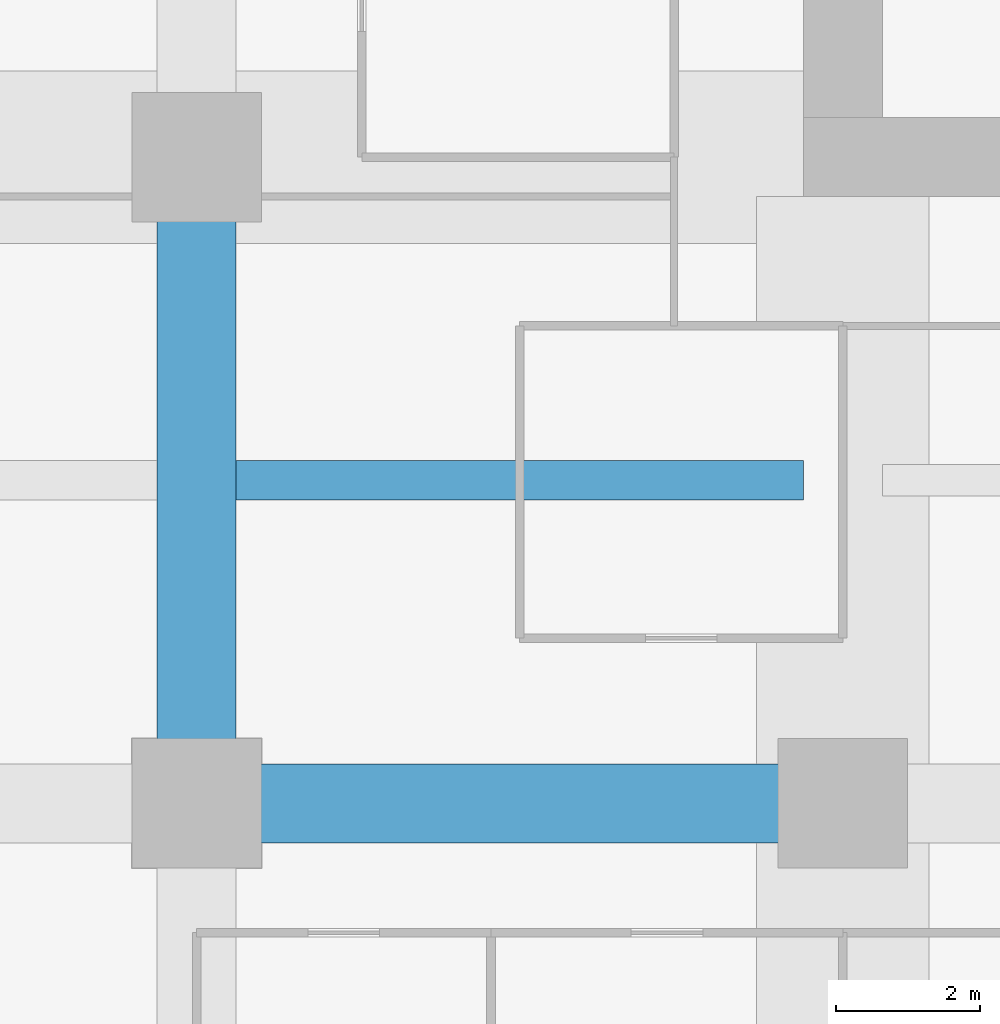
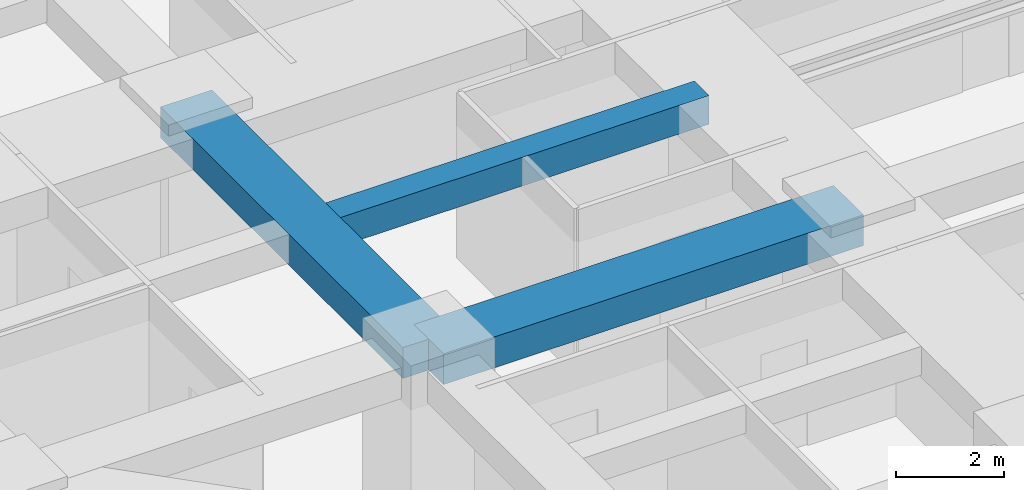
# One storey, part 5 of 36: 3 beams.
"""IFC4 building model written with IfcOpenShell, lengths in metres."""

from ifc_helpers import new_model, si_unit, direction, frame, origin, origin_2d, place, context, subcontext, project, spatial, rectangle, extrude, material, material_profile, profile_set, type_object, element, save


model = new_model("IFC4")

# Units and contexts
model_context = context("Model", 3, precision=1e-05, world=origin(), true_north=direction((0.0, 1.0)))
body_context = subcontext(model_context, "Body", "Model", "MODEL_VIEW")
ifc_project = project(units=[si_unit("LENGTHUNIT", "METRE"), si_unit("AREAUNIT", "SQUARE_METRE"), si_unit("VOLUMEUNIT", "CUBIC_METRE"), si_unit("PLANEANGLEUNIT", "RADIAN"), si_unit("MASSUNIT", "GRAM", prefix="KILO")], contexts=[model_context])

# Site, building, storey
site_placement = place(None, origin())
site = spatial("IfcSite", under=ifc_project, at=site_placement, CompositionType="ELEMENT")
building_placement = place(site_placement, origin())
building = spatial("IfcBuilding", under=site, at=building_placement, Name="Zorevar Civic Tower", CompositionType="ELEMENT")
storey_placement = place(building_placement, frame((0.0, 0.0, 166.199951171875)))
storey = spatial("IfcBuildingStorey", under=building, at=storey_placement, Name="L40", CompositionType="ELEMENT", Elevation=166.199951171875)

# Beams
ifc_material_1 = material(Name="Concrete C50/60", Category="concrete")
ifc_material_profile_1 = material_profile(ifc_material_1, rectangle(XDim=1.10009765625, YDim=0.699951171875, at=origin_2d()), Name="RC 1100x700")
ifc_profile_set_1 = profile_set([ifc_material_profile_1], Name="Concrete C50/60")
beam_type_1 = type_object("IfcBeamType", Name="Beam RC 1100x700", PredefinedType="BEAM", material=ifc_profile_set_1)
for number, where, z_axis, x_axis, name in (
    (1, (9.0, 9.0, 3.400146484375), (1.0, 0.0, 0.0), (0.0, 1.0, 0.0), "Girder L41"),
    (2, (9.0, 9.0, 3.400146484375), (0.0, 1.0, 0.0), (-1.0, 0.0, 0.0), "Girder L41"),
):
    element("IfcBeam", number, at=place(storey_placement, frame(where, z_axis=z_axis, x_axis=x_axis)), inside=storey, type_object=beam_type_1, Name=name, PredefinedType="BEAM", context=body_context, shape_type="SweptSolid", body=[
        extrude(rectangle(XDim=1.10009765625, YDim=0.699951171875, at=origin_2d()), origin(), (0.0, 0.0, 1.0), 9.0),
    ])
ifc_material_2 = material(Name="Concrete C50/60", Category="concrete")
ifc_material_profile_2 = material_profile(ifc_material_2, rectangle(XDim=0.550048828125, YDim=0.64990234375, at=origin_2d()), Name="RC 550x650")
ifc_profile_set_2 = profile_set([ifc_material_profile_2], Name="Concrete C50/60")
beam_type_2 = type_object("IfcBeamType", Name="Beam RC 550x650", PredefinedType="BEAM", material=ifc_profile_set_2)
beam_placement = place(storey_placement, frame((9.550048828125, 13.5, 3.425048828125), z_axis=(1.0, 0.0, 0.0), x_axis=(0.0, 1.0, 0.0)))
element("IfcBeam", 3, at=beam_placement, inside=storey, type_object=beam_type_2, Name="Secondary beam L41", PredefinedType="BEAM", context=body_context, shape_type="SweptSolid", body=[
    extrude(rectangle(XDim=0.550048828125, YDim=0.64990234375, at=origin_2d()), origin(), (0.0, 0.0, 1.0), 7.89990234375),
])

save(model, "model.ifc")
